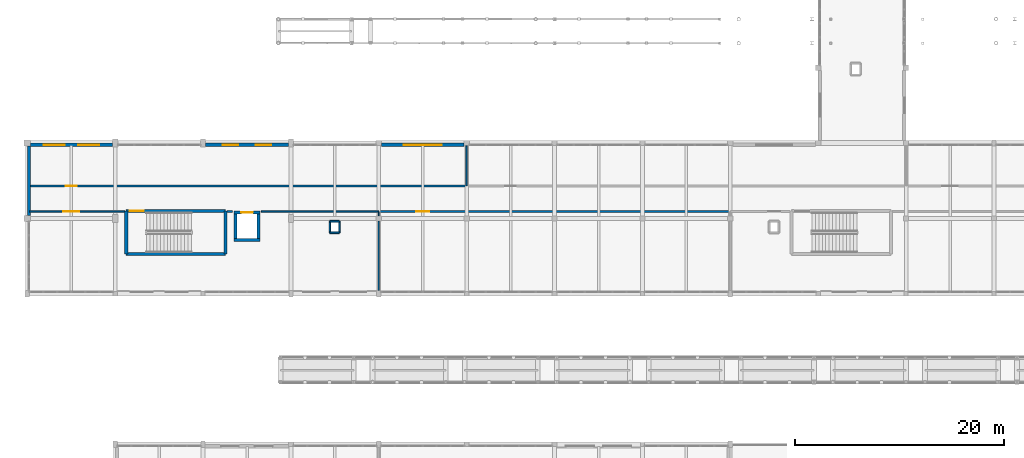
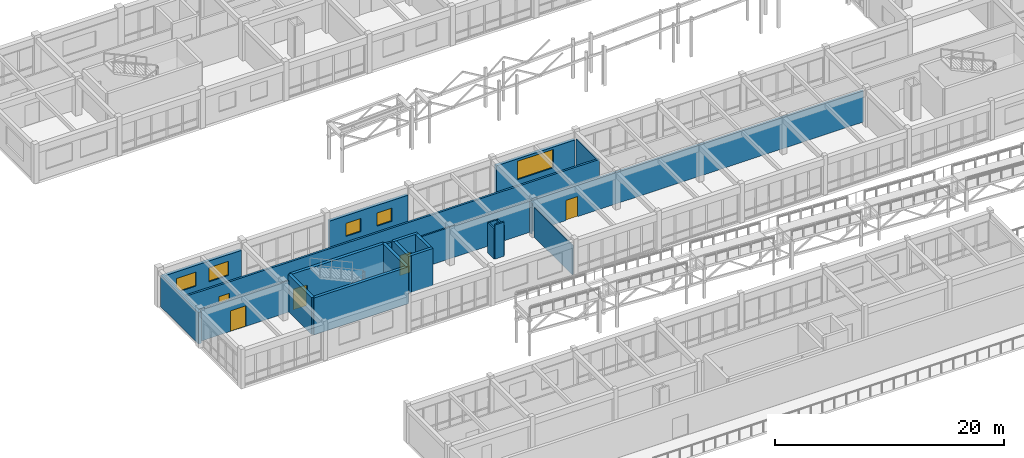
# One storey, part 74 of 89: 24 walls, 5 doors, 5 windows, 10 openings.
"""IFC4 building model written with IfcOpenShell, lengths in metres."""

from ifc_helpers import new_model, si_unit, direction, frame, frame_2d, origin, place, context, subcontext, project, spatial, rectangle, extrude, material, layer, layer_set, type_object, element, fill, save


model = new_model("IFC4")

# Units and contexts
model_context = context("Model", 3, precision=1e-05, world=origin(), true_north=direction((0.0, 1.0)))
body_context = subcontext(model_context, "Body", "Model", "MODEL_VIEW")
ifc_project = project(units=[si_unit("LENGTHUNIT", "METRE"), si_unit("AREAUNIT", "SQUARE_METRE"), si_unit("VOLUMEUNIT", "CUBIC_METRE"), si_unit("PLANEANGLEUNIT", "RADIAN"), si_unit("MASSUNIT", "GRAM", prefix="KILO")], contexts=[model_context])

# Site, building, storey
site_placement = place(None, origin())
site = spatial("IfcSite", under=ifc_project, at=site_placement, CompositionType="ELEMENT")
building_placement = place(site_placement, origin())
building = spatial("IfcBuilding", under=site, at=building_placement, Name="Malvenik Polytechnic", CompositionType="ELEMENT")
storey_placement = place(building_placement, frame((0.0, 0.0, 13.5)))
storey = spatial("IfcBuildingStorey", under=building, at=storey_placement, Name="L03", CompositionType="ELEMENT", Elevation=13.5)

# Wall
ifc_material_1 = material(Name="Concrete C35/45", Category="concrete")
ifc_layer_1 = layer(ifc_material_1, 0.280029296875)
ifc_layer_set_1 = layer_set([ifc_layer_1], Name="Concrete C35/45")
wall_type_1 = type_object("IfcWallType", Name="ARC-CW-S280", PredefinedType="SHEAR", material=ifc_layer_set_1)
wall_1_placement = place(storey_placement, frame((22.239990234375, 84.35009765625, 0.0), z_axis=(0.0, 0.0, 1.0), x_axis=(-1.0, 0.0, 0.0)))
element("IfcWall", 1, at=wall_1_placement, inside=storey, type_object=wall_type_1, Name="Lift Shaft Shear Wall LP-01 L03 -Y", PredefinedType="SHEAR", context=body_context, shape_type="SweptSolid", body=[
    extrude(rectangle(XDim=2.47998046875, YDim=0.280029296875, at=frame_2d((1.239990234375, 0.0))), origin(), (0.0, 0.0, 1.0), 3.93994140625),
])

# Wall, opening, door
wall_2_placement = place(storey_placement, frame((19.760009765625, 86.949951171875, 0.0), z_axis=(0.0, 0.0, 1.0), x_axis=(1.0, 0.0, 0.0)))
wall_2 = element("IfcWall", 2, at=wall_2_placement, inside=storey, type_object=wall_type_1, Name="Lift Shaft Shear Wall LP-01 L03 +Y", PredefinedType="SHEAR", context=body_context, shape_type="SweptSolid", body=[
    extrude(rectangle(XDim=2.47998046875, YDim=0.280029296875, at=frame_2d((1.239990234375, 0.0))), origin(), (0.0, 0.0, 1.0), 3.93994140625),
])
opening_1_placement = place(wall_2_placement, frame((0.68994140625, 0.0, 0.0)))
opening_1 = element("IfcOpeningElement", 3, at=opening_1_placement, cuts=wall_2, Name="Opening LD-01", PredefinedType="OPENING", context=body_context, shape_type="SweptSolid", body=[
    extrude(rectangle(XDim=1.10009765625, YDim=2.14990234375, at=frame_2d((0.550048828125, 1.074951171875))), frame((0.0, 0.14990234375, 0.0), z_axis=(0.0, -1.0, 0.0), x_axis=(1.0, 0.0, 0.0)), (0.0, 0.0, 1.0), 0.300048828125),
])
ifc_material_2 = material(Name="Stainless steel fire-rated sliding lift landing door", Category="steel")
door_type_1 = type_object("IfcDoorType", Name="ARC-LDR-LD-01", OperationType="NOTDEFINED", PredefinedType="DOOR", material=ifc_material_2)
door_1_placement = place(opening_1_placement, origin())
door_1 = element("IfcDoor", 4, at=door_1_placement, inside=storey, type_object=door_type_1, Name="Lift Sliding Landing Door LP-01 L03", OperationType="DOUBLE_DOOR_SLIDING", OverallHeight=2.14990234375, OverallWidth=1.10009765625, PredefinedType="DOOR", context=body_context, shape_type="SweptSolid", body=[
    extrude(rectangle(XDim=1.10009765625, YDim=2.14990234375, at=frame_2d((0.550048828125, 1.074951171875))), frame((0.0, 0.02490234375, 0.0), z_axis=(0.0, -1.0, 0.0), x_axis=(1.0, 0.0, 0.0)), (0.0, 0.0, 1.0), 0.050048828125),
])
fill(opening_1, door_1)

# Walls
for number, where, z_axis, x_axis, name in (
    (5, (19.89990234375, 84.2099609375, 0.0), (0.0, 0.0, 1.0), (0.0, 1.0, 0.0), "Lift Shaft Shear Wall LP-01 L03 -X"),
    (6, (22.10009765625, 87.090087890625, 0.0), (0.0, 0.0, 1.0), (0.0, -1.0, 0.0), "Lift Shaft Shear Wall LP-01 L03 +X"),
):
    element("IfcWall", number, at=place(storey_placement, frame(where, z_axis=z_axis, x_axis=x_axis)), inside=storey, type_object=wall_type_1, Name=name, PredefinedType="SHEAR", context=body_context, shape_type="SweptSolid", body=[
        extrude(rectangle(XDim=2.880126953125, YDim=0.280029296875, at=frame_2d((1.43994140625, 0.0))), origin(), (0.0, 0.0, 1.0), 3.93994140625),
    ])
ifc_layer_2 = layer(ifc_material_1, 0.300048828125)
ifc_layer_set_2 = layer_set([ifc_layer_2], Name="Concrete C35/45")
wall_type_2 = type_object("IfcWallType", Name="ARC-CW-S300", PredefinedType="SHEAR", material=ifc_layer_set_2)
wall_3_placement = place(storey_placement, frame((9.449951171875, 83.0, 0.0), z_axis=(0.0, 0.0, 1.0), x_axis=(0.0, 1.0, 0.0)))
element("IfcWall", 7, at=wall_3_placement, inside=storey, type_object=wall_type_2, Name="Stair Core Shear Wall ST-04 L03 NEAR", PredefinedType="SHEAR", context=body_context, shape_type="SweptSolid", body=[
    extrude(rectangle(XDim=4.10009765625, YDim=0.300048828125, at=frame_2d((2.050048828125, 0.0))), origin(), (0.0, 0.0, 1.0), 3.93994140625),
])

# Wall, opening, door
wall_4_placement = place(storey_placement, frame((9.449951171875, 87.10009765625, 0.0), z_axis=(0.0, 0.0, 1.0), x_axis=(1.0, 0.0, 0.0)))
wall_4 = element("IfcWall", 8, at=wall_4_placement, inside=storey, type_object=wall_type_2, Name="Stair Core Shear Wall ST-04 L03 RGHT", PredefinedType="SHEAR", context=body_context, shape_type="SweptSolid", body=[
    extrude(rectangle(XDim=9.5, YDim=0.300048828125, at=frame_2d((4.75, 0.0))), origin(), (0.0, 0.0, 1.0), 3.93994140625),
])
opening_2_placement = place(wall_4_placement, frame((0.35009765625, 0.0, 0.0)))
opening_2 = element("IfcOpeningElement", 9, at=opening_2_placement, cuts=wall_4, Name="Opening SD-01", PredefinedType="OPENING", context=body_context, shape_type="SweptSolid", body=[
    extrude(rectangle(XDim=1.35009765625, YDim=2.199951171875, at=frame_2d((0.675048828125, 1.10009765625))), frame((0.0, 0.16015625, 0.0), z_axis=(0.0, -1.0, 0.0), x_axis=(1.0, 0.0, 0.0)), (0.0, 0.0, 1.0), 0.320068359375),
])
ifc_material_3 = material(Name="Fire-rated steel stair enclosure door", Category="steel")
door_type_2 = type_object("IfcDoorType", Name="ARC-IDR-SD-01", OperationType="NOTDEFINED", PredefinedType="DOOR", material=ifc_material_3)
door_2_placement = place(opening_2_placement, origin())
door_2 = element("IfcDoor", 10, at=door_2_placement, inside=storey, type_object=door_type_2, Name="Fire Stair Door ST-04 L03", OperationType="SINGLE_SWING_RIGHT", OverallHeight=2.199951171875, OverallWidth=1.35009765625, PredefinedType="DOOR", context=body_context, shape_type="SweptSolid", body=[
    extrude(rectangle(XDim=1.35009765625, YDim=2.199951171875, at=frame_2d((0.675048828125, 1.10009765625))), frame((0.0, 0.02490234375, 0.0), z_axis=(0.0, -1.0, 0.0), x_axis=(1.0, 0.0, 0.0)), (0.0, 0.0, 1.0), 0.050048828125),
])
fill(opening_2, door_2)

# Walls
wall_5_placement = place(storey_placement, frame((18.949951171875, 87.10009765625, 0.0), z_axis=(0.0, 0.0, 1.0), x_axis=(0.0, -1.0, 0.0)))
element("IfcWall", 11, at=wall_5_placement, inside=storey, type_object=wall_type_2, Name="Stair Core Shear Wall ST-04 L03 FAR", PredefinedType="SHEAR", context=body_context, shape_type="SweptSolid", body=[
    extrude(rectangle(XDim=4.10009765625, YDim=0.300048828125, at=frame_2d((2.050048828125, 0.0))), origin(), (0.0, 0.0, 1.0), 3.93994140625),
])
wall_6_placement = place(storey_placement, frame((18.949951171875, 83.0, 0.0), z_axis=(0.0, 0.0, 1.0), x_axis=(-1.0, 0.0, 0.0)))
element("IfcWall", 12, at=wall_6_placement, inside=storey, type_object=wall_type_2, Name="Stair Core Shear Wall ST-04 L03 LEFT", PredefinedType="SHEAR", context=body_context, shape_type="SweptSolid", body=[
    extrude(rectangle(XDim=9.5, YDim=0.300048828125, at=frame_2d((4.75, 0.0))), origin(), (0.0, 0.0, 1.0), 3.93994140625),
])

# Wall, openings, windows
ifc_material_4 = material(Name="Brick masonry M15", Category="masonry")
ifc_layer_3 = layer(ifc_material_4, 0.31005859375)
ifc_layer_set_3 = layer_set([ifc_layer_3], Name="Brick masonry M15")
wall_type_3 = type_object("IfcWallType", Name="ARC-EW-310", PredefinedType="SOLIDWALL", material=ifc_layer_set_3)
wall_7_placement = place(storey_placement, frame((0.298095703125, 93.429931640625, 0.0), z_axis=(0.0, 0.0, 1.0), x_axis=(1.0, 0.0, 0.0)))
wall_7 = element("IfcWall", 13, at=wall_7_placement, inside=storey, type_object=wall_type_3, Name="External Facade Wall EW-03 L03 #377", PredefinedType="SOLIDWALL", context=body_context, shape_type="SweptSolid", body=[
    extrude(rectangle(XDim=7.85400390625, YDim=0.31005859375, at=frame_2d((3.927001953125, 0.0))), origin(), (0.0, 0.0, 1.0), 3.159912109375),
])
opening_3_placement = place(wall_7_placement, frame((1.28466796875, 0.0, 0.949951171875)))
opening_3 = element("IfcOpeningElement", 14, at=opening_3_placement, cuts=wall_7, Name="Opening W-13", PredefinedType="OPENING", context=body_context, shape_type="SweptSolid", body=[
    extrude(rectangle(XDim=2.0, YDim=1.5, at=frame_2d((1.0, 0.75))), frame((0.0, 0.1650390625, 0.0), z_axis=(0.0, -1.0, 0.0), x_axis=(1.0, 0.0, 0.0)), (0.0, 0.0, 1.0), 0.330078125),
])
opening_4_placement = place(wall_7_placement, frame((4.5693359375, 0.0, 0.949951171875)))
opening_4 = element("IfcOpeningElement", 15, at=opening_4_placement, cuts=wall_7, Name="Opening W-13", PredefinedType="OPENING", context=body_context, shape_type="SweptSolid", body=[
    extrude(rectangle(XDim=2.0, YDim=1.5, at=frame_2d((1.0, 0.75))), frame((0.0, 0.1650390625, 0.0), z_axis=(0.0, -1.0, 0.0), x_axis=(1.0, 0.0, 0.0)), (0.0, 0.0, 1.0), 0.330078125),
])
ifc_material_5 = material(Name="Thermally broken aluminium frame with low-E double glazing", Category="aluminium")
window_type_1 = type_object("IfcWindowType", Name="ARC-WIN-W-13", PartitioningType="SINGLE_PANEL", PredefinedType="WINDOW", material=ifc_material_5)
window_1_placement = place(opening_3_placement, origin())
window_1 = element("IfcWindow", 16, at=window_1_placement, inside=storey, type_object=window_type_1, Name="Punched Window W-13 L03 #376", OverallHeight=1.5, OverallWidth=2.0, PartitioningType="SINGLE_PANEL", PredefinedType="WINDOW", context=body_context, shape_type="SweptSolid", body=[
    extrude(rectangle(XDim=2.0, YDim=1.5, at=frame_2d((1.0, 0.75))), frame((0.0, 0.030029296875, 0.0), z_axis=(0.0, -1.0, 0.0), x_axis=(1.0, 0.0, 0.0)), (0.0, 0.0, 1.0), 0.06005859375),
])
fill(opening_3, window_1)
window_2_placement = place(opening_4_placement, origin())
window_2 = element("IfcWindow", 17, at=window_2_placement, inside=storey, type_object=window_type_1, Name="Punched Window W-13 L03 #377", OverallHeight=1.5, OverallWidth=2.0, PartitioningType="SINGLE_PANEL", PredefinedType="WINDOW", context=body_context, shape_type="SweptSolid", body=[
    extrude(rectangle(XDim=2.0, YDim=1.5, at=frame_2d((1.0, 0.75))), frame((0.0, 0.030029296875, 0.0), z_axis=(0.0, -1.0, 0.0), x_axis=(1.0, 0.0, 0.0)), (0.0, 0.0, 1.0), 0.06005859375),
])
fill(opening_4, window_2)

wall_8_placement = place(storey_placement, frame((17.048095703125, 93.429931640625, 0.0), z_axis=(0.0, 0.0, 1.0), x_axis=(1.0, 0.0, 0.0)))
wall_8 = element("IfcWall", 18, at=wall_8_placement, inside=storey, type_object=wall_type_3, Name="External Facade Wall EW-03 L03 #378", PredefinedType="SOLIDWALL", context=body_context, shape_type="SweptSolid", body=[
    extrude(rectangle(XDim=7.90380859375, YDim=0.31005859375, at=frame_2d((3.951904296875, 0.0))), origin(), (0.0, 0.0, 1.0), 3.159912109375),
])
opening_5_placement = place(wall_8_placement, frame((1.634765625, 0.0, 0.949951171875)))
opening_5 = element("IfcOpeningElement", 19, at=opening_5_placement, cuts=wall_8, Name="Opening W-15", PredefinedType="OPENING", context=body_context, shape_type="SweptSolid", body=[
    extrude(rectangle(XDim=1.5, YDim=1.39990234375, at=frame_2d((0.75, 0.699951171875))), frame((0.0, 0.1650390625, 0.0), z_axis=(0.0, -1.0, 0.0), x_axis=(1.0, 0.0, 0.0)), (0.0, 0.0, 1.0), 0.330078125),
])
opening_6_placement = place(wall_8_placement, frame((4.769287109375, 0.0, 0.949951171875)))
opening_6 = element("IfcOpeningElement", 20, at=opening_6_placement, cuts=wall_8, Name="Opening W-15", PredefinedType="OPENING", context=body_context, shape_type="SweptSolid", body=[
    extrude(rectangle(XDim=1.5, YDim=1.39990234375, at=frame_2d((0.75, 0.699951171875))), frame((0.0, 0.1650390625, 0.0), z_axis=(0.0, -1.0, 0.0), x_axis=(1.0, 0.0, 0.0)), (0.0, 0.0, 1.0), 0.330078125),
])
window_type_2 = type_object("IfcWindowType", Name="ARC-WIN-W-15", PartitioningType="SINGLE_PANEL", PredefinedType="WINDOW", material=ifc_material_5)
window_3_placement = place(opening_5_placement, origin())
window_3 = element("IfcWindow", 21, at=window_3_placement, inside=storey, type_object=window_type_2, Name="Punched Window W-15 L03 #378", OverallHeight=1.39990234375, OverallWidth=1.5, PartitioningType="SINGLE_PANEL", PredefinedType="WINDOW", context=body_context, shape_type="SweptSolid", body=[
    extrude(rectangle(XDim=1.5, YDim=1.39990234375, at=frame_2d((0.75, 0.699951171875))), frame((0.0, 0.030029296875, 0.0), z_axis=(0.0, -1.0, 0.0), x_axis=(1.0, 0.0, 0.0)), (0.0, 0.0, 1.0), 0.06005859375),
])
fill(opening_5, window_3)
window_4_placement = place(opening_6_placement, origin())
window_4 = element("IfcWindow", 22, at=window_4_placement, inside=storey, type_object=window_type_2, Name="Punched Window W-15 L03 #379", OverallHeight=1.39990234375, OverallWidth=1.5, PartitioningType="SINGLE_PANEL", PredefinedType="WINDOW", context=body_context, shape_type="SweptSolid", body=[
    extrude(rectangle(XDim=1.5, YDim=1.39990234375, at=frame_2d((0.75, 0.699951171875))), frame((0.0, 0.030029296875, 0.0), z_axis=(0.0, -1.0, 0.0), x_axis=(1.0, 0.0, 0.0)), (0.0, 0.0, 1.0), 0.06005859375),
])
fill(opening_6, window_4)

# Wall, opening, window
wall_9_placement = place(storey_placement, frame((33.847900390625, 93.429931640625, 0.0), z_axis=(0.0, 0.0, 1.0), x_axis=(1.0, 0.0, 0.0)))
wall_9 = element("IfcWall", 23, at=wall_9_placement, inside=storey, type_object=wall_type_3, Name="External Facade Wall EW-03 L03 #379", PredefinedType="SOLIDWALL", context=body_context, shape_type="SweptSolid", body=[
    extrude(rectangle(XDim=7.904052734375, YDim=0.31005859375, at=frame_2d((3.9521484375, 0.0))), origin(), (0.0, 0.0, 1.0), 3.159912109375),
])
opening_7_placement = place(wall_9_placement, frame((2.152099609375, 0.0, 0.949951171875)))
opening_7 = element("IfcOpeningElement", 24, at=opening_7_placement, cuts=wall_9, Name="Opening W-17", PredefinedType="OPENING", context=body_context, shape_type="SweptSolid", body=[
    extrude(rectangle(XDim=3.60009765625, YDim=1.9599609375, at=frame_2d((1.800048828125, 0.97998046875))), frame((0.0, 0.1650390625, 0.0), z_axis=(0.0, -1.0, 0.0), x_axis=(1.0, 0.0, 0.0)), (0.0, 0.0, 1.0), 0.330078125),
])
window_type_3 = type_object("IfcWindowType", Name="ARC-WIN-W-17", PartitioningType="SINGLE_PANEL", PredefinedType="WINDOW", material=ifc_material_5)
window_5_placement = place(opening_7_placement, origin())
window_5 = element("IfcWindow", 25, at=window_5_placement, inside=storey, type_object=window_type_3, Name="Punched Window W-17 L03 #380", OverallHeight=1.9599609375, OverallWidth=3.60009765625, PartitioningType="SINGLE_PANEL", PredefinedType="WINDOW", context=body_context, shape_type="SweptSolid", body=[
    extrude(rectangle(XDim=3.60009765625, YDim=1.9599609375, at=frame_2d((1.800048828125, 0.97998046875))), frame((0.0, 0.030029296875, 0.0), z_axis=(0.0, -1.0, 0.0), x_axis=(1.0, 0.0, 0.0)), (0.0, 0.0, 1.0), 0.06005859375),
])
fill(opening_7, window_5)

# Wall
wall_10_placement = place(storey_placement, frame((0.169921875, 86.697998046875, 0.0), z_axis=(0.0, 0.0, 1.0), x_axis=(0.0, 1.0, 0.0)))
element("IfcWall", 26, at=wall_10_placement, inside=storey, type_object=wall_type_3, Name="External Facade Wall EW-03 L03 #408", PredefinedType="SOLIDWALL", context=body_context, shape_type="SweptSolid", body=[
    extrude(rectangle(XDim=6.60400390625, YDim=0.31005859375, at=frame_2d((3.302001953125, 0.0))), origin(), (0.0, 0.0, 1.0), 3.360107421875),
])

# Wall, opening, door
ifc_material_6 = material(Name="Calcium silicate fire-rated blockwork 200mm", Category="masonry")
ifc_layer_4 = layer(ifc_material_6, 0.199951171875)
ifc_layer_set_4 = layer_set([ifc_layer_4], Name="Calcium silicate fire-rated blockwork 200mm")
wall_type_4 = type_object("IfcWallType", Name="ARC-FW-200", PredefinedType="SOLIDWALL", material=ifc_layer_set_4)
wall_11_placement = place(storey_placement, frame((0.219970703125, 89.5, 0.0), z_axis=(0.0, 0.0, 1.0), x_axis=(1.0, 0.0, 0.0)))
wall_11 = element("IfcWall", 27, at=wall_11_placement, inside=storey, type_object=wall_type_4, Name="Interior Partition FW-02 L03 #326", PredefinedType="SOLIDWALL", context=body_context, shape_type="SweptSolid", body=[
    extrude(rectangle(XDim=41.780029296875, YDim=0.199951171875, at=frame_2d((20.89013671875, 0.0))), origin(), (0.0, 0.0, 1.0), 3.35498046875),
])
opening_8_placement = place(wall_11_placement, frame((3.455078125, 0.0, 0.0)))
opening_8 = element("IfcOpeningElement", 28, at=opening_8_placement, cuts=wall_11, Name="Opening FD-05", PredefinedType="OPENING", context=body_context, shape_type="SweptSolid", body=[
    extrude(rectangle(XDim=1.050048828125, YDim=2.14990234375, at=frame_2d((0.52490234375, 1.074951171875))), frame((0.0, 0.10986328125, 0.0), z_axis=(0.0, -1.0, 0.0), x_axis=(1.0, 0.0, 0.0)), (0.0, 0.0, 1.0), 0.219970703125),
])
ifc_material_7 = material(Name="Fire-rated archive room door", Category="steel")
door_type_3 = type_object("IfcDoorType", Name="ARC-IDR-FD-05", OperationType="NOTDEFINED", PredefinedType="DOOR", material=ifc_material_7)
door_3_placement = place(opening_8_placement, origin())
door_3 = element("IfcDoor", 29, at=door_3_placement, inside=storey, type_object=door_type_3, Name="Interior Door FD-05 L03 #139", OperationType="SINGLE_SWING_LEFT", OverallHeight=2.14990234375, OverallWidth=1.050048828125, PredefinedType="DOOR", context=body_context, shape_type="SweptSolid", body=[
    extrude(rectangle(XDim=1.050048828125, YDim=2.14990234375, at=frame_2d((0.52490234375, 1.074951171875))), frame((0.0, 0.02490234375, 0.0), z_axis=(0.0, -1.0, 0.0), x_axis=(1.0, 0.0, 0.0)), (0.0, 0.0, 1.0), 0.050048828125),
])
fill(opening_8, door_3)

# Wall
wall_12_placement = place(storey_placement, frame((19.6298828125, 87.050048828125, 0.0), z_axis=(0.0, 0.0, 1.0), x_axis=(-1.0, 0.0, 0.0)))
element("IfcWall", 30, at=wall_12_placement, inside=storey, type_object=wall_type_4, Name="Interior Partition FW-02 L03 #332", PredefinedType="SOLIDWALL", context=body_context, shape_type="SweptSolid", body=[
    extrude(rectangle(XDim=0.539794921875, YDim=0.199951171875, at=frame_2d((0.27001953125, 0.0))), origin(), (0.0, 0.0, 1.0), 3.85009765625),
])

# Wall, opening, door
wall_13_placement = place(storey_placement, frame((67.199951171875, 87.050048828125, 0.0), z_axis=(0.0, 0.0, 1.0), x_axis=(-1.0, 0.0, 0.0)))
wall_13 = element("IfcWall", 31, at=wall_13_placement, inside=storey, type_object=wall_type_4, Name="Interior Partition FW-02 L03 #336", PredefinedType="SOLIDWALL", context=body_context, shape_type="SweptSolid", body=[
    extrude(rectangle(XDim=33.599853515625, YDim=0.199951171875, at=frame_2d((16.7998046875, 0.0))), origin(), (0.0, 0.0, 1.0), 3.35498046875),
])
opening_9_placement = place(wall_13_placement, frame((28.800048828125, 0.0, 0.0)))
opening_9 = element("IfcOpeningElement", 32, at=opening_9_placement, cuts=wall_13, Name="Opening FD-10", PredefinedType="OPENING", context=body_context, shape_type="SweptSolid", body=[
    extrude(rectangle(XDim=1.199951171875, YDim=2.14990234375, at=frame_2d((0.60009765625, 1.074951171875))), frame((0.0, 0.10986328125, 0.0), z_axis=(0.0, -1.0, 0.0), x_axis=(1.0, 0.0, 0.0)), (0.0, 0.0, 1.0), 0.219970703125),
])
ifc_material_8 = material(Name="Fire-rated laboratory corridor door", Category="steel")
door_type_4 = type_object("IfcDoorType", Name="ARC-IDR-FD-10", OperationType="NOTDEFINED", PredefinedType="DOOR", material=ifc_material_8)
door_4_placement = place(opening_9_placement, origin())
door_4 = element("IfcDoor", 33, at=door_4_placement, inside=storey, type_object=door_type_4, Name="Interior Door FD-10 L03 #143", OperationType="SINGLE_SWING_RIGHT", OverallHeight=2.14990234375, OverallWidth=1.199951171875, PredefinedType="DOOR", context=body_context, shape_type="SweptSolid", body=[
    extrude(rectangle(XDim=1.199951171875, YDim=2.14990234375, at=frame_2d((0.60009765625, 1.074951171875))), frame((0.0, 0.02490234375, 0.0), z_axis=(0.0, -1.0, 0.0), x_axis=(1.0, 0.0, 0.0)), (0.0, 0.0, 1.0), 0.050048828125),
])
fill(opening_9, door_4)

# Walls
ifc_material_9 = material(Name="Lightweight gypsum partition 110mm", Category="gypsum")
ifc_layer_5 = layer(ifc_material_9, 0.110107421875)
ifc_layer_set_5 = layer_set([ifc_layer_5], Name="Lightweight gypsum partition 110mm")
wall_type_5 = type_object("IfcWallType", Name="ARC-PW-110", PredefinedType="PARTITIONING", material=ifc_layer_set_5)
wall_14_placement = place(storey_placement, frame((33.60009765625, 86.669921875, 0.0), z_axis=(0.0, 0.0, 1.0), x_axis=(0.0, 1.0, 0.0)))
element("IfcWall", 34, at=wall_14_placement, inside=storey, type_object=wall_type_5, Name="Interior Partition PW-04I L03 #335", PredefinedType="PARTITIONING", context=body_context, shape_type="SweptSolid", body=[
    extrude(rectangle(XDim=0.380126953125, YDim=0.110107421875, at=frame_2d((0.18994140625, 0.0))), origin(), (0.0, 0.0, 1.0), 3.22509765625),
])
ifc_material_10 = material(Name="Metal-stud gypsum board partition 125mm", Category="gypsum")
ifc_layer_6 = layer(ifc_material_10, 0.125)
ifc_layer_set_6 = layer_set([ifc_layer_6], Name="Metal-stud gypsum board partition 125mm")
wall_type_6 = type_object("IfcWallType", Name="ARC-PW-125", PredefinedType="PARTITIONING", material=ifc_layer_set_6)
wall_15_placement = place(storey_placement, frame((33.60009765625, 79.52001953125, 0.0), z_axis=(0.0, 0.0, 1.0), x_axis=(0.0, 1.0, 0.0)))
element("IfcWall", 35, at=wall_15_placement, inside=storey, type_object=wall_type_6, Name="Interior Partition PW-03I L03 #334", PredefinedType="PARTITIONING", context=body_context, shape_type="SweptSolid", body=[
    extrude(rectangle(XDim=6.60986328125, YDim=0.125, at=frame_2d((3.304931640625, 0.0))), origin(), (0.0, 0.0, 1.0), 3.155029296875),
])
ifc_material_11 = material(Name="Acoustic metal-stud gypsum partition 140mm", Category="gypsum")
ifc_layer_7 = layer(ifc_material_11, 0.139892578125)
ifc_layer_set_7 = layer_set([ifc_layer_7], Name="Acoustic metal-stud gypsum partition 140mm")
wall_type_7 = type_object("IfcWallType", Name="ARC-PW-140", PredefinedType="PARTITIONING", material=ifc_layer_set_7)
wall_16_placement = place(storey_placement, frame((42.0, 89.5, 0.0), z_axis=(0.0, 0.0, 1.0), x_axis=(0.0, 1.0, 0.0)))
element("IfcWall", 36, at=wall_16_placement, inside=storey, type_object=wall_type_7, Name="Interior Partition PW-02I L03 #327", PredefinedType="PARTITIONING", context=body_context, shape_type="SweptSolid", body=[
    extrude(rectangle(XDim=3.830078125, YDim=0.139892578125, at=frame_2d((1.9150390625, 0.0))), origin(), (0.0, 0.0, 1.0), 3.155029296875),
])
ifc_material_12 = material(Name="Double-stud acoustic gypsum board partition 160mm", Category="gypsum")
ifc_layer_8 = layer(ifc_material_12, 0.159912109375)
ifc_layer_set_8 = layer_set([ifc_layer_8], Name="Double-stud acoustic gypsum board partition 160mm")
wall_type_8 = type_object("IfcWallType", Name="ARC-PW-160", PredefinedType="PARTITIONING", material=ifc_layer_set_8)
wall_17_placement = place(storey_placement, frame((28.919921875, 85.02001953125, 0.0), z_axis=(0.0, 0.0, 1.0), x_axis=(1.0, 0.0, 0.0)))
element("IfcWall", 37, at=wall_17_placement, inside=storey, type_object=wall_type_8, Name="Riser Shaft Enclosure L03 #41S", PredefinedType="PARTITIONING", context=body_context, shape_type="SweptSolid", body=[
    extrude(rectangle(XDim=0.91015625, YDim=0.159912109375, at=frame_2d((0.455078125, 0.0))), origin(), (0.0, 0.0, 1.0), 3.64990234375),
])
wall_18_placement = place(storey_placement, frame((29.830078125, 86.1298828125, 0.0), z_axis=(0.0, 0.0, 1.0), x_axis=(-1.0, 0.0, 0.0)))
element("IfcWall", 38, at=wall_18_placement, inside=storey, type_object=wall_type_8, Name="Riser Shaft Enclosure L03 #41N", PredefinedType="PARTITIONING", context=body_context, shape_type="SweptSolid", body=[
    extrude(rectangle(XDim=0.91015625, YDim=0.159912109375, at=frame_2d((0.455078125, 0.0))), origin(), (0.0, 0.0, 1.0), 3.22509765625),
])
for number, where, z_axis, x_axis, name in (
    (39, (28.919921875, 86.1298828125, 0.0), (0.0, 0.0, 1.0), (0.0, -1.0, 0.0), "Riser Shaft Enclosure L03 #41W"),
    (40, (29.830078125, 85.02001953125, 0.0), (0.0, 0.0, 1.0), (0.0, 1.0, 0.0), "Riser Shaft Enclosure L03 #41E"),
):
    element("IfcWall", number, at=place(storey_placement, frame(where, z_axis=z_axis, x_axis=x_axis)), inside=storey, type_object=wall_type_8, Name=name, PredefinedType="PARTITIONING", context=body_context, shape_type="SweptSolid", body=[
        extrude(rectangle(XDim=1.10986328125, YDim=0.159912109375, at=frame_2d((0.554931640625, 0.0))), origin(), (0.0, 0.0, 1.0), 3.22509765625),
    ])
wall_19_placement = place(storey_placement, frame((33.60009765625, 87.050048828125, 0.0), z_axis=(0.0, 0.0, 1.0), x_axis=(-1.0, 0.0, 0.0)))
element("IfcWall", 41, at=wall_19_placement, inside=storey, type_object=wall_type_8, Name="Interior Partition PW-01I L03 #331", PredefinedType="PARTITIONING", context=body_context, shape_type="SweptSolid", body=[
    extrude(rectangle(XDim=11.22998046875, YDim=0.159912109375, at=frame_2d((5.614990234375, 0.0))), origin(), (0.0, 0.0, 1.0), 3.35498046875),
])

# Wall, opening, door
wall_20_placement = place(storey_placement, frame((9.31005859375, 87.050048828125, 0.0), z_axis=(0.0, 0.0, 1.0), x_axis=(-1.0, 0.0, 0.0)))
wall_20 = element("IfcWall", 42, at=wall_20_placement, inside=storey, type_object=wall_type_8, Name="Interior Partition PW-01I L03 #333", PredefinedType="PARTITIONING", context=body_context, shape_type="SweptSolid", body=[
    extrude(rectangle(XDim=9.090087890625, YDim=0.159912109375, at=frame_2d((4.544921875, 0.0))), origin(), (0.0, 0.0, 1.0), 3.35498046875),
])
opening_10_placement = place(wall_20_placement, frame((4.3349609375, 0.0, 0.0)))
opening_10 = element("IfcOpeningElement", 43, at=opening_10_placement, cuts=wall_20, Name="Opening FD-09", PredefinedType="OPENING", context=body_context, shape_type="SweptSolid", body=[
    extrude(rectangle(XDim=1.550048828125, YDim=2.199951171875, at=frame_2d((0.77490234375, 1.10009765625))), frame((0.0, 0.08984375, 0.0), z_axis=(0.0, -1.0, 0.0), x_axis=(1.0, 0.0, 0.0)), (0.0, 0.0, 1.0), 0.179931640625),
])
ifc_material_13 = material(Name="Fire-rated studio corridor double door", Category="steel")
door_type_5 = type_object("IfcDoorType", Name="ARC-IDR-FD-09", OperationType="NOTDEFINED", PredefinedType="DOOR", material=ifc_material_13)
door_5_placement = place(opening_10_placement, origin())
door_5 = element("IfcDoor", 44, at=door_5_placement, inside=storey, type_object=door_type_5, Name="Interior Door FD-09 L03 #142", OperationType="DOUBLE_DOOR_SINGLE_SWING", OverallHeight=2.199951171875, OverallWidth=1.550048828125, PredefinedType="DOOR", context=body_context, shape_type="SweptSolid", body=[
    extrude(rectangle(XDim=1.550048828125, YDim=2.199951171875, at=frame_2d((0.77490234375, 1.10009765625))), frame((0.0, 0.02490234375, 0.0), z_axis=(0.0, -1.0, 0.0), x_axis=(1.0, 0.0, 0.0)), (0.0, 0.0, 1.0), 0.050048828125),
])
fill(opening_10, door_5)

save(model, "model.ifc")
